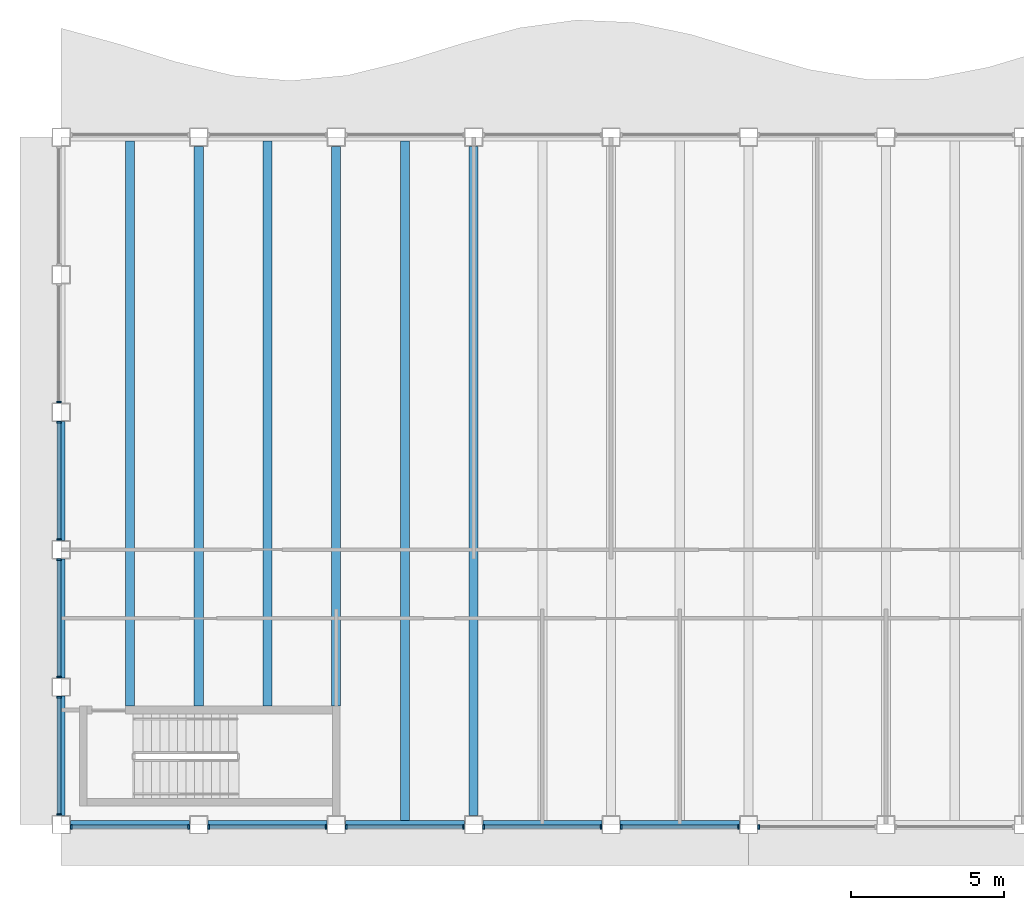
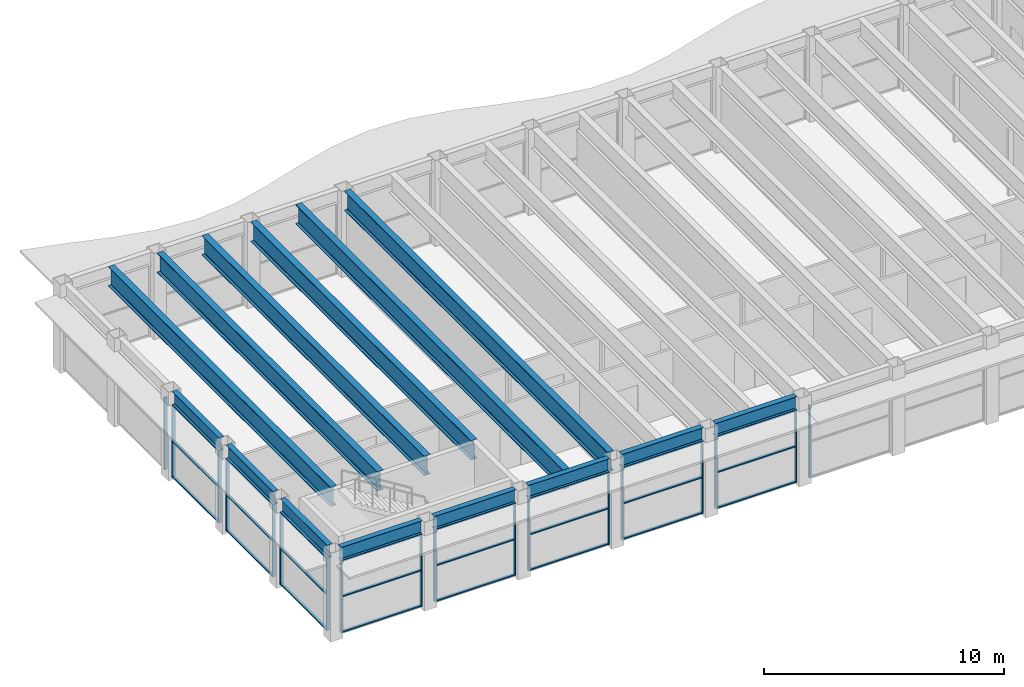
# One storey, part 2 of 14: 42 members, 14 beams, 10 elements without a shape of their own.
"""IFC4 building model written with IfcOpenShell, lengths in metres."""

import ifcopenshell
import ifcopenshell.guid

model = None  # the IFC model being written
_history = None  # IfcOwnerHistory: only IFC2X3 demands one
_inside = {}  # id of a spatial element -> (the spatial element, [elements in it])
_under = {}  # id of a project, library or spatial element -> (it, [spatial elements below it])
_declared = {}  # id of a project -> (the project, [libraries it declares])
_typed = {}  # id of a type object -> (the type object, [elements of that type])
_made_of = {}  # id of a material, layer set ... -> (it, [elements and type objects made of it])


def new_model(schema):
    """Start an empty IFC model of exactly this schema.

    Asked for "IFC4X3", IfcOpenShell would pick the latest addendum, in which some entities
    have other attributes; the version numbers below select the first issue.
    IFC2X3 requires an IfcOwnerHistory on every rooted entity: one is made here for all.
    """
    global model, _history
    if schema == "IFC4X3":
        model = ifcopenshell.file(schema_version=(4, 3, 0, 0))
    else:
        model = ifcopenshell.file(schema=schema)
    _inside.clear()
    _under.clear()
    _declared.clear()
    _typed.clear()
    _made_of.clear()
    _history = None
    if model.schema == "IFC2X3":
        org = make("IfcOrganization", Name="unknown")
        user = make(
            "IfcPersonAndOrganization",
            ThePerson=make("IfcPerson", FamilyName="unknown"),
            TheOrganization=org,
        )
        app = make(
            "IfcApplication",
            ApplicationDeveloper=org,
            Version="unknown",
            ApplicationFullName="unknown",
            ApplicationIdentifier="unknown",
        )
        _history = make(
            "IfcOwnerHistory",
            OwningUser=user,
            OwningApplication=app,
            ChangeAction="ADDED",
            CreationDate=0,
        )
    return model


def make(cls, **values):
    """One entity of the class cls with the attributes given. An attribute that is None is left unset."""
    return model.create_entity(
        cls, **{name: value for name, value in values.items() if value is not None}
    )


def rooted(cls, **values):
    """An entity with a GlobalId (a new one), such as an element, a storey or a relation."""
    return make(cls, GlobalId=ifcopenshell.guid.new(), OwnerHistory=_history, **values)


def si_unit(unit_type, name, prefix=None):
    """IfcSIUnit, for example si_unit("LENGTHUNIT", "METRE", prefix="MILLI")."""
    return make("IfcSIUnit", UnitType=unit_type, Prefix=prefix, Name=name)


def assignment(units):
    """IfcUnitAssignment: the units of a project."""
    return None if units is None else make("IfcUnitAssignment", Units=units)


def point(xyz):
    """IfcCartesianPoint."""
    return None if xyz is None else make("IfcCartesianPoint", Coordinates=xyz)


def direction(xyz):
    """IfcDirection."""
    return None if xyz is None else make("IfcDirection", DirectionRatios=xyz)


def frame(location, z_axis=None, x_axis=None):
    """IfcAxis2Placement3D, a coordinate frame: its origin and axes. An axis left out is left unset."""
    return make(
        "IfcAxis2Placement3D",
        Location=point(location),
        Axis=direction(z_axis),
        RefDirection=direction(x_axis),
    )


def frame_2d(location, x_axis=None):
    """IfcAxis2Placement2D, a coordinate frame in the plane: its origin and x axis."""
    return make(
        "IfcAxis2Placement2D", Location=point(location), RefDirection=direction(x_axis)
    )


def origin():
    """The frame at (0, 0, 0) with its axes left unset."""
    return frame((0.0, 0.0, 0.0))


def origin_2d():
    """The frame at (0, 0) in the plane with its x axis left unset."""
    return frame_2d((0.0, 0.0))


def place(relative_to, where):
    """IfcLocalPlacement: puts the frame where relative to a parent placement (None: the world)."""
    return make(
        "IfcLocalPlacement", PlacementRelTo=relative_to, RelativePlacement=where
    )


def context(
    kind, dimensions, precision=None, world=None, true_north=None, identifier=None
):
    """IfcGeometricRepresentationContext, for example the 3D "Model" context."""
    return make(
        "IfcGeometricRepresentationContext",
        ContextIdentifier=identifier,
        ContextType=kind,
        CoordinateSpaceDimension=dimensions,
        Precision=precision,
        WorldCoordinateSystem=world,
        TrueNorth=true_north,
    )


def subcontext(parent, identifier, kind, view, scale=None):
    """IfcGeometricRepresentationSubContext, for example "Body" below "Model"."""
    return make(
        "IfcGeometricRepresentationSubContext",
        ContextIdentifier=identifier,
        ContextType=kind,
        ParentContext=parent,
        TargetScale=scale,
        TargetView=view,
    )


def project(units=None, contexts=None):
    """IfcProject with its units and contexts."""
    return rooted(
        "IfcProject",
        Name="project",
        RepresentationContexts=contexts,
        UnitsInContext=assignment(units),
    )


def spatial(cls, under=None, at=None, **own):
    """A site, building, storey or space (cls), placed at a placement, below another one or the project."""
    s = rooted(cls, ObjectPlacement=at, **own)
    if under is not None:
        _under.setdefault(under.id(), (under, []))[1].append(s)
    return s


def profile(cls, at=None, kind="AREA", **sizes):
    """A parametric profile (cls). Its sizes go by their IFC names, for example OverallWidth=200.0."""
    return make(cls, ProfileType=kind, Position=at, **sizes)


def rectangle(**sizes):
    """IfcRectangleProfileDef."""
    return profile("IfcRectangleProfileDef", **sizes)


def i_section(**sizes):
    """IfcIShapeProfileDef."""
    return profile("IfcIShapeProfileDef", **sizes)


def extrude(swept, where, along, depth):
    """IfcExtrudedAreaSolid: the profile swept, set in the frame where, extruded along a direction by depth."""
    return make(
        "IfcExtrudedAreaSolid",
        SweptArea=swept,
        Position=where,
        ExtrudedDirection=direction(along),
        Depth=depth,
    )


def shape(context_of_items, identifier, shape_type, items):
    """IfcShapeRepresentation: the items that make up one representation, for example the "Body"."""
    return make(
        "IfcShapeRepresentation",
        ContextOfItems=context_of_items,
        RepresentationIdentifier=identifier,
        RepresentationType=shape_type,
        Items=items,
    )


def material(Name=None, Category=None):
    """IfcMaterial."""
    return make("IfcMaterial", Name=Name, Category=Category)


def material_profile(
    of_material, cross_section, Name=None, Category=None, Priority=None
):
    """IfcMaterialProfile: a cross section and its material."""
    return make(
        "IfcMaterialProfile",
        Name=Name,
        Material=of_material,
        Profile=cross_section,
        Priority=Priority,
        Category=Category,
    )


def profile_set(profiles, Name=None, composite=None):
    """IfcMaterialProfileSet."""
    return make(
        "IfcMaterialProfileSet",
        Name=Name,
        MaterialProfiles=profiles,
        CompositeProfile=composite,
    )


def made_of(thing, what):
    """Note that an element or type object is made of a material, layer set ...; save() writes the relation."""
    if what is not None:
        _made_of.setdefault(what.id(), (what, []))[1].append(thing)
    return thing


def type_object(cls, material=None, **own):
    """A type object (cls), such as IfcWallType, which elements share."""
    return made_of(rooted(cls, **own), material)


def element(
    cls,
    number,
    at=None,
    inside=None,
    cuts=None,
    type_object=None,
    material=None,
    context=None,
    identifier="Body",
    shape_type=None,
    held_by="IfcProductDefinitionShape",
    body=None,
    shapes=None,
    **own,
):
    """One element of the class cls, such as IfcWall. Its Tag is "e" and its number.

    at: its placement. inside: the storey or other place that contains it. cuts: it is an
    opening in that element (IfcRelVoidsElement). A single representation is given by context,
    identifier, shape_type and body (its items); several are given by shapes. held_by: the class
    of the entity that holds the representations. save() writes the other relations.
    """
    e = rooted(cls, Tag="e%d" % number, ObjectPlacement=at, **own)
    if body is not None:
        shapes = [shape(context, identifier, shape_type, body)]
    if shapes is not None:
        e.Representation = make(held_by, Representations=shapes)
    if inside is not None:
        _inside.setdefault(inside.id(), (inside, []))[1].append(e)
    if cuts is not None:
        rooted(
            "IfcRelVoidsElement", RelatingBuildingElement=cuts, RelatedOpeningElement=e
        )
    if type_object is not None:
        _typed.setdefault(type_object.id(), (type_object, []))[1].append(e)
    return made_of(e, material)


def aggregate(whole, parts):
    """IfcRelAggregates: a whole, such as a stair, and the parts it consists of."""
    return rooted("IfcRelAggregates", RelatingObject=whole, RelatedObjects=parts)


def save(model, path):
    """Write the relations noted so far, then the file.

    IfcRelAggregates (storeys below a building ...), IfcRelContainedInSpatialStructure (elements
    in a storey), IfcRelDefinesByType, IfcRelAssociatesMaterial and IfcRelDeclares: one each for
    every whole, place, type object, material and project.
    """
    for whole, parts in _under.values():
        aggregate(whole, parts)
    for where, things in _inside.values():
        rooted(
            "IfcRelContainedInSpatialStructure",
            RelatedElements=things,
            RelatingStructure=where,
        )
    for kind, things in _typed.values():
        rooted("IfcRelDefinesByType", RelatedObjects=things, RelatingType=kind)
    for what, things in _made_of.values():
        rooted("IfcRelAssociatesMaterial", RelatedObjects=things, RelatingMaterial=what)
    for by, libraries in _declared.values():
        rooted("IfcRelDeclares", RelatingContext=by, RelatedDefinitions=libraries)
    model.write(path)


model = new_model("IFC4")

# Units and contexts
model_context = context("Model", 3, precision=1e-05, world=origin(), true_north=direction((0.0, 1.0)))
body_context = subcontext(model_context, "Body", "Model", "MODEL_VIEW")
ifc_project = project(units=[si_unit("LENGTHUNIT", "METRE"), si_unit("AREAUNIT", "SQUARE_METRE"), si_unit("VOLUMEUNIT", "CUBIC_METRE"), si_unit("PLANEANGLEUNIT", "RADIAN"), si_unit("MASSUNIT", "GRAM", prefix="KILO")], contexts=[model_context])

# Site, building, storey
site_placement = place(None, origin())
site = spatial("IfcSite", under=ifc_project, at=site_placement, CompositionType="ELEMENT")
building_placement = place(site_placement, origin())
building = spatial("IfcBuilding", under=site, at=building_placement, Name="Sennacour Bend Tower", CompositionType="ELEMENT")
storey_placement = place(building_placement, frame((0.0, 0.0, 336.5)))
storey = spatial("IfcBuildingStorey", under=building, at=storey_placement, Name="L77", CompositionType="ELEMENT", Elevation=336.5)

# Curtain wall, members
ifc_material_1 = material(Name="Bronze anodised aluminium curtain wall with clear glass", Category="aluminium")
curtain_wall_type = type_object("IfcCurtainWallType", Name="CURTAIN WALL EXEC", PredefinedType="NOTDEFINED", material=ifc_material_1)
curtain_wall_1_placement = place(storey_placement, origin())
curtain_wall_1 = element("IfcCurtainWall", 1, at=curtain_wall_1_placement, inside=storey, type_object=curtain_wall_type, Name="Executive floor glass wall L77", PredefinedType="NOTDEFINED")
ifc_material_2 = material(Name="Aluminium 6063-T6", Category="aluminium")
ifc_material_profile_1 = material_profile(ifc_material_2, rectangle(XDim=0.14990234375, YDim=0.06005859375, at=origin_2d()), Name="Aluminium 6063-T6", Category="aluminium")
ifc_profile_set_1 = profile_set([ifc_material_profile_1], Name="Aluminium 6063-T6")
member_type_1 = type_object("IfcMemberType", Name="CW-MULLION-150X60", PredefinedType="MULLION", material=ifc_profile_set_1)
member_1_placement = place(storey_placement, frame((0.330078125, -0.074951171875, 0.0), z_axis=(0.0, 0.0, 1.0), x_axis=(0.0, 1.0, 0.0)))
member_1 = element("IfcMember", 2, at=member_1_placement, type_object=member_type_1, Name="GW3 curtain wall mullion 1", PredefinedType="MULLION", context=body_context, shape_type="SweptSolid", body=[
    extrude(rectangle(XDim=0.14990234375, YDim=0.06005859375, at=origin_2d()), origin(), (0.0, 0.0, 1.0), 3.672119140625),
])
member_2_placement = place(storey_placement, frame((4.169921875, -0.074951171875, 0.0), z_axis=(0.0, 0.0, 1.0), x_axis=(0.0, 1.0, 0.0)))
member_2 = element("IfcMember", 3, at=member_2_placement, type_object=member_type_1, Name="GW3 curtain wall mullion 2", PredefinedType="MULLION", context=body_context, shape_type="SweptSolid", body=[
    extrude(rectangle(XDim=0.14990234375, YDim=0.06005859375, at=origin_2d()), origin(), (0.0, 0.0, 1.0), 3.672119140625),
])

curtain_wall_2_placement = place(storey_placement, origin())
curtain_wall_2 = element("IfcCurtainWall", 4, at=curtain_wall_2_placement, inside=storey, type_object=curtain_wall_type, Name="Executive floor glass wall L77", PredefinedType="NOTDEFINED")
member_3_placement = place(storey_placement, frame((4.830078125, -0.074951171875, 0.0), z_axis=(0.0, 0.0, 1.0), x_axis=(0.0, 1.0, 0.0)))
member_3 = element("IfcMember", 5, at=member_3_placement, type_object=member_type_1, Name="GW3 curtain wall mullion 1", PredefinedType="MULLION", context=body_context, shape_type="SweptSolid", body=[
    extrude(rectangle(XDim=0.14990234375, YDim=0.06005859375, at=origin_2d()), origin(), (0.0, 0.0, 1.0), 3.672119140625),
])
member_4_placement = place(storey_placement, frame((8.669921875, -0.074951171875, 0.0), z_axis=(0.0, 0.0, 1.0), x_axis=(0.0, 1.0, 0.0)))
member_4 = element("IfcMember", 6, at=member_4_placement, type_object=member_type_1, Name="GW3 curtain wall mullion 2", PredefinedType="MULLION", context=body_context, shape_type="SweptSolid", body=[
    extrude(rectangle(XDim=0.14990234375, YDim=0.06005859375, at=origin_2d()), origin(), (0.0, 0.0, 1.0), 3.672119140625),
])

curtain_wall_3_placement = place(storey_placement, origin())
curtain_wall_3 = element("IfcCurtainWall", 7, at=curtain_wall_3_placement, inside=storey, type_object=curtain_wall_type, Name="Executive floor glass wall L77", PredefinedType="NOTDEFINED")
member_5_placement = place(storey_placement, frame((9.330078125, -0.074951171875, 0.0), z_axis=(0.0, 0.0, 1.0), x_axis=(0.0, 1.0, 0.0)))
member_5 = element("IfcMember", 8, at=member_5_placement, type_object=member_type_1, Name="GW3 curtain wall mullion 1", PredefinedType="MULLION", context=body_context, shape_type="SweptSolid", body=[
    extrude(rectangle(XDim=0.14990234375, YDim=0.06005859375, at=origin_2d()), origin(), (0.0, 0.0, 1.0), 3.672119140625),
])
member_6_placement = place(storey_placement, frame((13.169921875, -0.074951171875, 0.0), z_axis=(0.0, 0.0, 1.0), x_axis=(0.0, 1.0, 0.0)))
member_6 = element("IfcMember", 9, at=member_6_placement, type_object=member_type_1, Name="GW3 curtain wall mullion 2", PredefinedType="MULLION", context=body_context, shape_type="SweptSolid", body=[
    extrude(rectangle(XDim=0.14990234375, YDim=0.06005859375, at=origin_2d()), origin(), (0.0, 0.0, 1.0), 3.672119140625),
])

curtain_wall_4_placement = place(storey_placement, origin())
curtain_wall_4 = element("IfcCurtainWall", 10, at=curtain_wall_4_placement, inside=storey, type_object=curtain_wall_type, Name="Executive floor glass wall L77", PredefinedType="NOTDEFINED")
member_7_placement = place(storey_placement, frame((13.830078125, -0.074951171875, 0.0), z_axis=(0.0, 0.0, 1.0), x_axis=(0.0, 1.0, 0.0)))
member_7 = element("IfcMember", 11, at=member_7_placement, type_object=member_type_1, Name="GW3 curtain wall mullion 1", PredefinedType="MULLION", context=body_context, shape_type="SweptSolid", body=[
    extrude(rectangle(XDim=0.14990234375, YDim=0.06005859375, at=origin_2d()), origin(), (0.0, 0.0, 1.0), 3.672119140625),
])
member_8_placement = place(storey_placement, frame((17.669921875, -0.074951171875, 0.0), z_axis=(0.0, 0.0, 1.0), x_axis=(0.0, 1.0, 0.0)))
member_8 = element("IfcMember", 12, at=member_8_placement, type_object=member_type_1, Name="GW3 curtain wall mullion 2", PredefinedType="MULLION", context=body_context, shape_type="SweptSolid", body=[
    extrude(rectangle(XDim=0.14990234375, YDim=0.06005859375, at=origin_2d()), origin(), (0.0, 0.0, 1.0), 3.672119140625),
])

curtain_wall_5_placement = place(storey_placement, origin())
curtain_wall_5 = element("IfcCurtainWall", 13, at=curtain_wall_5_placement, inside=storey, type_object=curtain_wall_type, Name="Executive floor glass wall L77", PredefinedType="NOTDEFINED")
member_9_placement = place(storey_placement, frame((18.330078125, -0.074951171875, 0.0), z_axis=(0.0, 0.0, 1.0), x_axis=(0.0, 1.0, 0.0)))
member_9 = element("IfcMember", 14, at=member_9_placement, type_object=member_type_1, Name="GW3 curtain wall mullion 1", PredefinedType="MULLION", context=body_context, shape_type="SweptSolid", body=[
    extrude(rectangle(XDim=0.14990234375, YDim=0.06005859375, at=origin_2d()), origin(), (0.0, 0.0, 1.0), 3.672119140625),
])
member_10_placement = place(storey_placement, frame((22.169921875, -0.074951171875, 0.0), z_axis=(0.0, 0.0, 1.0), x_axis=(0.0, 1.0, 0.0)))
member_10 = element("IfcMember", 15, at=member_10_placement, type_object=member_type_1, Name="GW3 curtain wall mullion 2", PredefinedType="MULLION", context=body_context, shape_type="SweptSolid", body=[
    extrude(rectangle(XDim=0.14990234375, YDim=0.06005859375, at=origin_2d()), origin(), (0.0, 0.0, 1.0), 3.672119140625),
])

# Curtain wall, member
curtain_wall_6_placement = place(storey_placement, origin())
curtain_wall_6 = element("IfcCurtainWall", 16, at=curtain_wall_6_placement, inside=storey, type_object=curtain_wall_type, Name="Executive floor glass wall L77", PredefinedType="NOTDEFINED")
member_11_placement = place(storey_placement, frame((22.830078125, -0.074951171875, 0.0), z_axis=(0.0, 0.0, 1.0), x_axis=(0.0, 1.0, 0.0)))
member_11 = element("IfcMember", 17, at=member_11_placement, type_object=member_type_1, Name="GW3 curtain wall mullion 1", PredefinedType="MULLION", context=body_context, shape_type="SweptSolid", body=[
    extrude(rectangle(XDim=0.14990234375, YDim=0.06005859375, at=origin_2d()), origin(), (0.0, 0.0, 1.0), 3.672119140625),
])
aggregate(curtain_wall_6, [member_11])

curtain_wall_7_placement = place(storey_placement, origin())
curtain_wall_7 = element("IfcCurtainWall", 18, at=curtain_wall_7_placement, inside=storey, type_object=curtain_wall_type, Name="Executive floor glass wall L77", PredefinedType="NOTDEFINED")
member_12_placement = place(storey_placement, frame((-0.074951171875, 13.830078125, 0.0), z_axis=(0.0, 0.0, 1.0), x_axis=(1.0, 0.0, 0.0)))
member_12 = element("IfcMember", 19, at=member_12_placement, type_object=member_type_1, Name="GW3 curtain wall mullion 2", PredefinedType="MULLION", context=body_context, shape_type="SweptSolid", body=[
    extrude(rectangle(XDim=0.14990234375, YDim=0.06005859375, at=origin_2d()), origin(), (0.0, 0.0, 1.0), 3.672119140625),
])
aggregate(curtain_wall_7, [member_12])

# Curtain wall, members
curtain_wall_8_placement = place(storey_placement, origin())
curtain_wall_8 = element("IfcCurtainWall", 20, at=curtain_wall_8_placement, inside=storey, type_object=curtain_wall_type, Name="Executive floor glass wall L77", PredefinedType="NOTDEFINED")
member_13_placement = place(storey_placement, frame((-0.074951171875, 13.169921875, 0.0), z_axis=(0.0, 0.0, 1.0), x_axis=(1.0, 0.0, 0.0)))
member_13 = element("IfcMember", 21, at=member_13_placement, type_object=member_type_1, Name="GW3 curtain wall mullion 1", PredefinedType="MULLION", context=body_context, shape_type="SweptSolid", body=[
    extrude(rectangle(XDim=0.14990234375, YDim=0.06005859375, at=origin_2d()), origin(), (0.0, 0.0, 1.0), 3.672119140625),
])
member_14_placement = place(storey_placement, frame((-0.074951171875, 9.330078125, 0.0), z_axis=(0.0, 0.0, 1.0), x_axis=(1.0, 0.0, 0.0)))
member_14 = element("IfcMember", 22, at=member_14_placement, type_object=member_type_1, Name="GW3 curtain wall mullion 2", PredefinedType="MULLION", context=body_context, shape_type="SweptSolid", body=[
    extrude(rectangle(XDim=0.14990234375, YDim=0.06005859375, at=origin_2d()), origin(), (0.0, 0.0, 1.0), 3.672119140625),
])

curtain_wall_9_placement = place(storey_placement, origin())
curtain_wall_9 = element("IfcCurtainWall", 23, at=curtain_wall_9_placement, inside=storey, type_object=curtain_wall_type, Name="Executive floor glass wall L77", PredefinedType="NOTDEFINED")
member_15_placement = place(storey_placement, frame((-0.074951171875, 8.669921875, 0.0), z_axis=(0.0, 0.0, 1.0), x_axis=(1.0, 0.0, 0.0)))
member_15 = element("IfcMember", 24, at=member_15_placement, type_object=member_type_1, Name="GW3 curtain wall mullion 1", PredefinedType="MULLION", context=body_context, shape_type="SweptSolid", body=[
    extrude(rectangle(XDim=0.14990234375, YDim=0.06005859375, at=origin_2d()), origin(), (0.0, 0.0, 1.0), 3.672119140625),
])
member_16_placement = place(storey_placement, frame((-0.074951171875, 4.830078125, 0.0), z_axis=(0.0, 0.0, 1.0), x_axis=(1.0, 0.0, 0.0)))
member_16 = element("IfcMember", 25, at=member_16_placement, type_object=member_type_1, Name="GW3 curtain wall mullion 2", PredefinedType="MULLION", context=body_context, shape_type="SweptSolid", body=[
    extrude(rectangle(XDim=0.14990234375, YDim=0.06005859375, at=origin_2d()), origin(), (0.0, 0.0, 1.0), 3.672119140625),
])

curtain_wall_10_placement = place(storey_placement, origin())
curtain_wall_10 = element("IfcCurtainWall", 26, at=curtain_wall_10_placement, inside=storey, type_object=curtain_wall_type, Name="Executive floor glass wall L77", PredefinedType="NOTDEFINED")
member_17_placement = place(storey_placement, frame((-0.074951171875, 4.169921875, 0.0), z_axis=(0.0, 0.0, 1.0), x_axis=(1.0, 0.0, 0.0)))
member_17 = element("IfcMember", 27, at=member_17_placement, type_object=member_type_1, Name="GW3 curtain wall mullion 1", PredefinedType="MULLION", context=body_context, shape_type="SweptSolid", body=[
    extrude(rectangle(XDim=0.14990234375, YDim=0.06005859375, at=origin_2d()), origin(), (0.0, 0.0, 1.0), 3.672119140625),
])
member_18_placement = place(storey_placement, frame((-0.074951171875, 0.330078125, 0.0), z_axis=(0.0, 0.0, 1.0), x_axis=(1.0, 0.0, 0.0)))
member_18 = element("IfcMember", 28, at=member_18_placement, type_object=member_type_1, Name="GW3 curtain wall mullion 2", PredefinedType="MULLION", context=body_context, shape_type="SweptSolid", body=[
    extrude(rectangle(XDim=0.14990234375, YDim=0.06005859375, at=origin_2d()), origin(), (0.0, 0.0, 1.0), 3.672119140625),
])

# Member
ifc_material_profile_2 = material_profile(ifc_material_2, rectangle(XDim=0.1201171875, YDim=0.06005859375, at=origin_2d()), Name="Aluminium 6063-T6", Category="aluminium")
ifc_profile_set_2 = profile_set([ifc_material_profile_2], Name="Aluminium 6063-T6")
member_type_2 = type_object("IfcMemberType", Name="CW-TRANSOM-120X60", PredefinedType="USERDEFINED", material=ifc_profile_set_2)
member_19_placement = place(storey_placement, frame((0.360107421875, -0.074951171875, 0.030029296875), z_axis=(1.0, 0.0, 0.0), x_axis=(0.0, 1.0, 0.0)))
member_19 = element("IfcMember", 29, at=member_19_placement, type_object=member_type_2, Name="GW3 curtain wall transom 1.1", ObjectType="TRANSOM", PredefinedType="USERDEFINED", context=body_context, shape_type="SweptSolid", body=[
    extrude(rectangle(XDim=0.1201171875, YDim=0.06005859375, at=origin_2d()), origin(), (0.0, 0.0, 1.0), 3.77978515625),
])

member_20_placement = place(storey_placement, frame((0.360107421875, -0.074951171875, 1.8359375), z_axis=(1.0, 0.0, 0.0), x_axis=(0.0, 1.0, 0.0)))
member_20 = element("IfcMember", 30, at=member_20_placement, type_object=member_type_2, Name="GW3 curtain wall transom 1.2", ObjectType="TRANSOM", PredefinedType="USERDEFINED", context=body_context, shape_type="SweptSolid", body=[
    extrude(rectangle(XDim=0.1201171875, YDim=0.06005859375, at=origin_2d()), origin(), (0.0, 0.0, 1.0), 3.77978515625),
])

member_21_placement = place(storey_placement, frame((0.360107421875, -0.074951171875, 3.64208984375), z_axis=(1.0, 0.0, 0.0), x_axis=(0.0, 1.0, 0.0)))
member_21 = element("IfcMember", 31, at=member_21_placement, type_object=member_type_2, Name="GW3 curtain wall transom 1.3", ObjectType="TRANSOM", PredefinedType="USERDEFINED", context=body_context, shape_type="SweptSolid", body=[
    extrude(rectangle(XDim=0.1201171875, YDim=0.06005859375, at=origin_2d()), origin(), (0.0, 0.0, 1.0), 3.77978515625),
])

aggregate(curtain_wall_1, [member_1, member_2, member_19, member_20, member_21])

member_22_placement = place(storey_placement, frame((4.860107421875, -0.074951171875, 0.030029296875), z_axis=(1.0, 0.0, 0.0), x_axis=(0.0, 1.0, 0.0)))
member_22 = element("IfcMember", 32, at=member_22_placement, type_object=member_type_2, Name="GW3 curtain wall transom 1.1", ObjectType="TRANSOM", PredefinedType="USERDEFINED", context=body_context, shape_type="SweptSolid", body=[
    extrude(rectangle(XDim=0.1201171875, YDim=0.06005859375, at=origin_2d()), origin(), (0.0, 0.0, 1.0), 3.77978515625),
])

member_23_placement = place(storey_placement, frame((4.860107421875, -0.074951171875, 1.8359375), z_axis=(1.0, 0.0, 0.0), x_axis=(0.0, 1.0, 0.0)))
member_23 = element("IfcMember", 33, at=member_23_placement, type_object=member_type_2, Name="GW3 curtain wall transom 1.2", ObjectType="TRANSOM", PredefinedType="USERDEFINED", context=body_context, shape_type="SweptSolid", body=[
    extrude(rectangle(XDim=0.1201171875, YDim=0.06005859375, at=origin_2d()), origin(), (0.0, 0.0, 1.0), 3.77978515625),
])

member_24_placement = place(storey_placement, frame((4.860107421875, -0.074951171875, 3.64208984375), z_axis=(1.0, 0.0, 0.0), x_axis=(0.0, 1.0, 0.0)))
member_24 = element("IfcMember", 34, at=member_24_placement, type_object=member_type_2, Name="GW3 curtain wall transom 1.3", ObjectType="TRANSOM", PredefinedType="USERDEFINED", context=body_context, shape_type="SweptSolid", body=[
    extrude(rectangle(XDim=0.1201171875, YDim=0.06005859375, at=origin_2d()), origin(), (0.0, 0.0, 1.0), 3.77978515625),
])

aggregate(curtain_wall_2, [member_3, member_4, member_22, member_23, member_24])

member_25_placement = place(storey_placement, frame((9.360107421875, -0.074951171875, 0.030029296875), z_axis=(1.0, 0.0, 0.0), x_axis=(0.0, 1.0, 0.0)))
member_25 = element("IfcMember", 35, at=member_25_placement, type_object=member_type_2, Name="GW3 curtain wall transom 1.1", ObjectType="TRANSOM", PredefinedType="USERDEFINED", context=body_context, shape_type="SweptSolid", body=[
    extrude(rectangle(XDim=0.1201171875, YDim=0.06005859375, at=origin_2d()), origin(), (0.0, 0.0, 1.0), 3.77978515625),
])

member_26_placement = place(storey_placement, frame((9.360107421875, -0.074951171875, 1.8359375), z_axis=(1.0, 0.0, 0.0), x_axis=(0.0, 1.0, 0.0)))
member_26 = element("IfcMember", 36, at=member_26_placement, type_object=member_type_2, Name="GW3 curtain wall transom 1.2", ObjectType="TRANSOM", PredefinedType="USERDEFINED", context=body_context, shape_type="SweptSolid", body=[
    extrude(rectangle(XDim=0.1201171875, YDim=0.06005859375, at=origin_2d()), origin(), (0.0, 0.0, 1.0), 3.77978515625),
])

member_27_placement = place(storey_placement, frame((9.360107421875, -0.074951171875, 3.64208984375), z_axis=(1.0, 0.0, 0.0), x_axis=(0.0, 1.0, 0.0)))
member_27 = element("IfcMember", 37, at=member_27_placement, type_object=member_type_2, Name="GW3 curtain wall transom 1.3", ObjectType="TRANSOM", PredefinedType="USERDEFINED", context=body_context, shape_type="SweptSolid", body=[
    extrude(rectangle(XDim=0.1201171875, YDim=0.06005859375, at=origin_2d()), origin(), (0.0, 0.0, 1.0), 3.77978515625),
])

aggregate(curtain_wall_3, [member_5, member_6, member_25, member_26, member_27])

member_28_placement = place(storey_placement, frame((13.860107421875, -0.074951171875, 0.030029296875), z_axis=(1.0, 0.0, 0.0), x_axis=(0.0, 1.0, 0.0)))
member_28 = element("IfcMember", 38, at=member_28_placement, type_object=member_type_2, Name="GW3 curtain wall transom 1.1", ObjectType="TRANSOM", PredefinedType="USERDEFINED", context=body_context, shape_type="SweptSolid", body=[
    extrude(rectangle(XDim=0.1201171875, YDim=0.06005859375, at=origin_2d()), origin(), (0.0, 0.0, 1.0), 3.77978515625),
])

member_29_placement = place(storey_placement, frame((13.860107421875, -0.074951171875, 1.8359375), z_axis=(1.0, 0.0, 0.0), x_axis=(0.0, 1.0, 0.0)))
member_29 = element("IfcMember", 39, at=member_29_placement, type_object=member_type_2, Name="GW3 curtain wall transom 1.2", ObjectType="TRANSOM", PredefinedType="USERDEFINED", context=body_context, shape_type="SweptSolid", body=[
    extrude(rectangle(XDim=0.1201171875, YDim=0.06005859375, at=origin_2d()), origin(), (0.0, 0.0, 1.0), 3.77978515625),
])

member_30_placement = place(storey_placement, frame((13.860107421875, -0.074951171875, 3.64208984375), z_axis=(1.0, 0.0, 0.0), x_axis=(0.0, 1.0, 0.0)))
member_30 = element("IfcMember", 40, at=member_30_placement, type_object=member_type_2, Name="GW3 curtain wall transom 1.3", ObjectType="TRANSOM", PredefinedType="USERDEFINED", context=body_context, shape_type="SweptSolid", body=[
    extrude(rectangle(XDim=0.1201171875, YDim=0.06005859375, at=origin_2d()), origin(), (0.0, 0.0, 1.0), 3.77978515625),
])

aggregate(curtain_wall_4, [member_7, member_8, member_28, member_29, member_30])

member_31_placement = place(storey_placement, frame((18.360107421875, -0.074951171875, 0.030029296875), z_axis=(1.0, 0.0, 0.0), x_axis=(0.0, 1.0, 0.0)))
member_31 = element("IfcMember", 41, at=member_31_placement, type_object=member_type_2, Name="GW3 curtain wall transom 1.1", ObjectType="TRANSOM", PredefinedType="USERDEFINED", context=body_context, shape_type="SweptSolid", body=[
    extrude(rectangle(XDim=0.1201171875, YDim=0.06005859375, at=origin_2d()), origin(), (0.0, 0.0, 1.0), 3.77978515625),
])

member_32_placement = place(storey_placement, frame((18.360107421875, -0.074951171875, 1.8359375), z_axis=(1.0, 0.0, 0.0), x_axis=(0.0, 1.0, 0.0)))
member_32 = element("IfcMember", 42, at=member_32_placement, type_object=member_type_2, Name="GW3 curtain wall transom 1.2", ObjectType="TRANSOM", PredefinedType="USERDEFINED", context=body_context, shape_type="SweptSolid", body=[
    extrude(rectangle(XDim=0.1201171875, YDim=0.06005859375, at=origin_2d()), origin(), (0.0, 0.0, 1.0), 3.77978515625),
])

member_33_placement = place(storey_placement, frame((18.360107421875, -0.074951171875, 3.64208984375), z_axis=(1.0, 0.0, 0.0), x_axis=(0.0, 1.0, 0.0)))
member_33 = element("IfcMember", 43, at=member_33_placement, type_object=member_type_2, Name="GW3 curtain wall transom 1.3", ObjectType="TRANSOM", PredefinedType="USERDEFINED", context=body_context, shape_type="SweptSolid", body=[
    extrude(rectangle(XDim=0.1201171875, YDim=0.06005859375, at=origin_2d()), origin(), (0.0, 0.0, 1.0), 3.77978515625),
])

aggregate(curtain_wall_5, [member_9, member_10, member_31, member_32, member_33])

member_34_placement = place(storey_placement, frame((-0.074951171875, 13.139892578125, 0.030029296875), z_axis=(0.0, -1.0, 0.0), x_axis=(1.0, 0.0, 0.0)))
member_34 = element("IfcMember", 44, at=member_34_placement, type_object=member_type_2, Name="GW3 curtain wall transom 1.1", ObjectType="TRANSOM", PredefinedType="USERDEFINED", context=body_context, shape_type="SweptSolid", body=[
    extrude(rectangle(XDim=0.1201171875, YDim=0.06005859375, at=origin_2d()), origin(), (0.0, 0.0, 1.0), 3.77978515625),
])

member_35_placement = place(storey_placement, frame((-0.074951171875, 13.139892578125, 1.8359375), z_axis=(0.0, -1.0, 0.0), x_axis=(1.0, 0.0, 0.0)))
member_35 = element("IfcMember", 45, at=member_35_placement, type_object=member_type_2, Name="GW3 curtain wall transom 1.2", ObjectType="TRANSOM", PredefinedType="USERDEFINED", context=body_context, shape_type="SweptSolid", body=[
    extrude(rectangle(XDim=0.1201171875, YDim=0.06005859375, at=origin_2d()), origin(), (0.0, 0.0, 1.0), 3.77978515625),
])

member_36_placement = place(storey_placement, frame((-0.074951171875, 13.139892578125, 3.64208984375), z_axis=(0.0, -1.0, 0.0), x_axis=(1.0, 0.0, 0.0)))
member_36 = element("IfcMember", 46, at=member_36_placement, type_object=member_type_2, Name="GW3 curtain wall transom 1.3", ObjectType="TRANSOM", PredefinedType="USERDEFINED", context=body_context, shape_type="SweptSolid", body=[
    extrude(rectangle(XDim=0.1201171875, YDim=0.06005859375, at=origin_2d()), origin(), (0.0, 0.0, 1.0), 3.77978515625),
])

aggregate(curtain_wall_8, [member_13, member_14, member_34, member_35, member_36])

member_37_placement = place(storey_placement, frame((-0.074951171875, 8.639892578125, 0.030029296875), z_axis=(0.0, -1.0, 0.0), x_axis=(1.0, 0.0, 0.0)))
member_37 = element("IfcMember", 47, at=member_37_placement, type_object=member_type_2, Name="GW3 curtain wall transom 1.1", ObjectType="TRANSOM", PredefinedType="USERDEFINED", context=body_context, shape_type="SweptSolid", body=[
    extrude(rectangle(XDim=0.1201171875, YDim=0.06005859375, at=origin_2d()), origin(), (0.0, 0.0, 1.0), 3.77978515625),
])

member_38_placement = place(storey_placement, frame((-0.074951171875, 8.639892578125, 1.8359375), z_axis=(0.0, -1.0, 0.0), x_axis=(1.0, 0.0, 0.0)))
member_38 = element("IfcMember", 48, at=member_38_placement, type_object=member_type_2, Name="GW3 curtain wall transom 1.2", ObjectType="TRANSOM", PredefinedType="USERDEFINED", context=body_context, shape_type="SweptSolid", body=[
    extrude(rectangle(XDim=0.1201171875, YDim=0.06005859375, at=origin_2d()), origin(), (0.0, 0.0, 1.0), 3.77978515625),
])

member_39_placement = place(storey_placement, frame((-0.074951171875, 8.639892578125, 3.64208984375), z_axis=(0.0, -1.0, 0.0), x_axis=(1.0, 0.0, 0.0)))
member_39 = element("IfcMember", 49, at=member_39_placement, type_object=member_type_2, Name="GW3 curtain wall transom 1.3", ObjectType="TRANSOM", PredefinedType="USERDEFINED", context=body_context, shape_type="SweptSolid", body=[
    extrude(rectangle(XDim=0.1201171875, YDim=0.06005859375, at=origin_2d()), origin(), (0.0, 0.0, 1.0), 3.77978515625),
])

aggregate(curtain_wall_9, [member_15, member_16, member_37, member_38, member_39])

member_40_placement = place(storey_placement, frame((-0.074951171875, 4.139892578125, 0.030029296875), z_axis=(0.0, -1.0, 0.0), x_axis=(1.0, 0.0, 0.0)))
member_40 = element("IfcMember", 50, at=member_40_placement, type_object=member_type_2, Name="GW3 curtain wall transom 1.1", ObjectType="TRANSOM", PredefinedType="USERDEFINED", context=body_context, shape_type="SweptSolid", body=[
    extrude(rectangle(XDim=0.1201171875, YDim=0.06005859375, at=origin_2d()), origin(), (0.0, 0.0, 1.0), 3.77978515625),
])

member_41_placement = place(storey_placement, frame((-0.074951171875, 4.139892578125, 1.8359375), z_axis=(0.0, -1.0, 0.0), x_axis=(1.0, 0.0, 0.0)))
member_41 = element("IfcMember", 51, at=member_41_placement, type_object=member_type_2, Name="GW3 curtain wall transom 1.2", ObjectType="TRANSOM", PredefinedType="USERDEFINED", context=body_context, shape_type="SweptSolid", body=[
    extrude(rectangle(XDim=0.1201171875, YDim=0.06005859375, at=origin_2d()), origin(), (0.0, 0.0, 1.0), 3.77978515625),
])

member_42_placement = place(storey_placement, frame((-0.074951171875, 4.139892578125, 3.64208984375), z_axis=(0.0, -1.0, 0.0), x_axis=(1.0, 0.0, 0.0)))
member_42 = element("IfcMember", 52, at=member_42_placement, type_object=member_type_2, Name="GW3 curtain wall transom 1.3", ObjectType="TRANSOM", PredefinedType="USERDEFINED", context=body_context, shape_type="SweptSolid", body=[
    extrude(rectangle(XDim=0.1201171875, YDim=0.06005859375, at=origin_2d()), origin(), (0.0, 0.0, 1.0), 3.77978515625),
])

aggregate(curtain_wall_10, [member_17, member_18, member_40, member_41, member_42])

# Beams
ifc_material_3 = material(Name="Steel ASTM A992 Grade 50", Category="steel")
ifc_material_profile_3 = material_profile(ifc_material_3, i_section(OverallWidth=0.300048828125, OverallDepth=0.990966796875, WebThickness=0.0166015625, FlangeThickness=0.030517578125, FilletRadius=0.030029296875, at=origin_2d()), Name="Steel ASTM A992 Grade 50", Category="steel")
ifc_profile_set_3 = profile_set([ifc_material_profile_3], Name="Steel ASTM A992 Grade 50")
beam_type_1 = type_object("IfcBeamType", Name="Floor beam W1000X272", PredefinedType="BEAM", material=ifc_profile_set_3)
beam_1_placement = place(storey_placement, frame((2.25, 3.875, 3.8544921875), z_axis=(0.0, 1.0, 0.0), x_axis=(-1.0, 0.0, 0.0)))
element("IfcBeam", 53, at=beam_1_placement, inside=storey, type_object=beam_type_1, Name="Floor beam FBM3 L78-001", PredefinedType="BEAM", context=body_context, shape_type="SweptSolid", body=[
    extrude(i_section(OverallWidth=0.300048828125, OverallDepth=0.990966796875, WebThickness=0.0166015625, FlangeThickness=0.030517578125, FilletRadius=0.030029296875, at=origin_2d()), origin(), (0.0, 0.0, 1.0), 18.498046875),
])
beam_2_placement = place(storey_placement, frame((4.5, 3.875, 3.8544921875), z_axis=(0.0, 1.0, 0.0), x_axis=(-1.0, 0.0, 0.0)))
element("IfcBeam", 54, at=beam_2_placement, inside=storey, type_object=beam_type_1, Name="Floor beam FBM3 L78-002", PredefinedType="BEAM", context=body_context, shape_type="SweptSolid", body=[
    extrude(i_section(OverallWidth=0.300048828125, OverallDepth=0.990966796875, WebThickness=0.0166015625, FlangeThickness=0.030517578125, FilletRadius=0.030029296875, at=origin_2d()), origin(), (0.0, 0.0, 1.0), 18.324951171875),
])
beam_3_placement = place(storey_placement, frame((6.75, 3.875, 3.8544921875), z_axis=(0.0, 1.0, 0.0), x_axis=(-1.0, 0.0, 0.0)))
element("IfcBeam", 55, at=beam_3_placement, inside=storey, type_object=beam_type_1, Name="Floor beam FBM3 L78-003", PredefinedType="BEAM", context=body_context, shape_type="SweptSolid", body=[
    extrude(i_section(OverallWidth=0.300048828125, OverallDepth=0.990966796875, WebThickness=0.0166015625, FlangeThickness=0.030517578125, FilletRadius=0.030029296875, at=origin_2d()), origin(), (0.0, 0.0, 1.0), 18.498046875),
])
beam_4_placement = place(storey_placement, frame((9.0, 3.875, 3.8544921875), z_axis=(0.0, 1.0, 0.0), x_axis=(-1.0, 0.0, 0.0)))
element("IfcBeam", 56, at=beam_4_placement, inside=storey, type_object=beam_type_1, Name="Floor beam FBM3 L78-004", PredefinedType="BEAM", context=body_context, shape_type="SweptSolid", body=[
    extrude(i_section(OverallWidth=0.300048828125, OverallDepth=0.990966796875, WebThickness=0.0166015625, FlangeThickness=0.030517578125, FilletRadius=0.030029296875, at=origin_2d()), origin(), (0.0, 0.0, 1.0), 18.324951171875),
])
beam_5_placement = place(storey_placement, frame((11.25, 0.126953125, 3.8544921875), z_axis=(0.0, 1.0, 0.0), x_axis=(-1.0, 0.0, 0.0)))
element("IfcBeam", 57, at=beam_5_placement, inside=storey, type_object=beam_type_1, Name="Floor beam FBM3 L78-005", PredefinedType="BEAM", context=body_context, shape_type="SweptSolid", body=[
    extrude(i_section(OverallWidth=0.300048828125, OverallDepth=0.990966796875, WebThickness=0.0166015625, FlangeThickness=0.030517578125, FilletRadius=0.030029296875, at=origin_2d()), origin(), (0.0, 0.0, 1.0), 22.24609375),
])
beam_6_placement = place(storey_placement, frame((13.5, 0.300048828125, 3.8544921875), z_axis=(0.0, 1.0, 0.0), x_axis=(-1.0, 0.0, 0.0)))
element("IfcBeam", 58, at=beam_6_placement, inside=storey, type_object=beam_type_1, Name="Floor beam FBM3 L78-006", PredefinedType="BEAM", context=body_context, shape_type="SweptSolid", body=[
    extrude(i_section(OverallWidth=0.300048828125, OverallDepth=0.990966796875, WebThickness=0.0166015625, FlangeThickness=0.030517578125, FilletRadius=0.030029296875, at=origin_2d()), origin(), (0.0, 0.0, 1.0), 21.89990234375),
])
ifc_material_profile_4 = material_profile(ifc_material_3, i_section(OverallWidth=0.25390625, OverallDepth=0.677978515625, WebThickness=0.01171875, FlangeThickness=0.016357421875, FilletRadius=0.01513671875, at=origin_2d()), Name="Steel ASTM A992 Grade 50", Category="steel")
ifc_profile_set_4 = profile_set([ifc_material_profile_4], Name="Steel ASTM A992 Grade 50")
beam_type_2 = type_object("IfcBeamType", Name="Spandrel beam W690X125", PredefinedType="SPANDREL", material=ifc_profile_set_4)
for number, where, z_axis, x_axis, name in (
    (59, (0.0, 0.300048828125, 4.010986328125), (0.0, 1.0, 0.0), (-1.0, 0.0, 0.0), "Spandrel beam SP7 L78-001"),
    (60, (0.0, 4.800048828125, 4.010986328125), (0.0, 1.0, 0.0), (-1.0, 0.0, 0.0), "Spandrel beam SP7 L78-002"),
    (61, (0.0, 9.300048828125, 4.010986328125), (0.0, 1.0, 0.0), (-1.0, 0.0, 0.0), "Spandrel beam SP7 L78-003"),
    (62, (22.199951171875, 0.0, 4.010986328125), (-1.0, 0.0, 0.0), (0.0, -1.0, 0.0), "Spandrel beam SP7 L78-025"),
    (63, (17.699951171875, 0.0, 4.010986328125), (-1.0, 0.0, 0.0), (0.0, -1.0, 0.0), "Spandrel beam SP7 L78-026"),
    (64, (13.199951171875, 0.0, 4.010986328125), (-1.0, 0.0, 0.0), (0.0, -1.0, 0.0), "Spandrel beam SP7 L78-027"),
    (65, (8.699951171875, 0.0, 4.010986328125), (-1.0, 0.0, 0.0), (0.0, -1.0, 0.0), "Spandrel beam SP7 L78-028"),
    (66, (4.199951171875, 0.0, 4.010986328125), (-1.0, 0.0, 0.0), (0.0, -1.0, 0.0), "Spandrel beam SP7 L78-029"),
):
    element("IfcBeam", number, at=place(storey_placement, frame(where, z_axis=z_axis, x_axis=x_axis)), inside=storey, type_object=beam_type_2, Name=name, PredefinedType="SPANDREL", context=body_context, shape_type="SweptSolid", body=[
        extrude(i_section(OverallWidth=0.25390625, OverallDepth=0.677978515625, WebThickness=0.01171875, FlangeThickness=0.016357421875, FilletRadius=0.01513671875, at=origin_2d()), origin(), (0.0, 0.0, 1.0), 3.89990234375),
    ])

save(model, "model.ifc")
